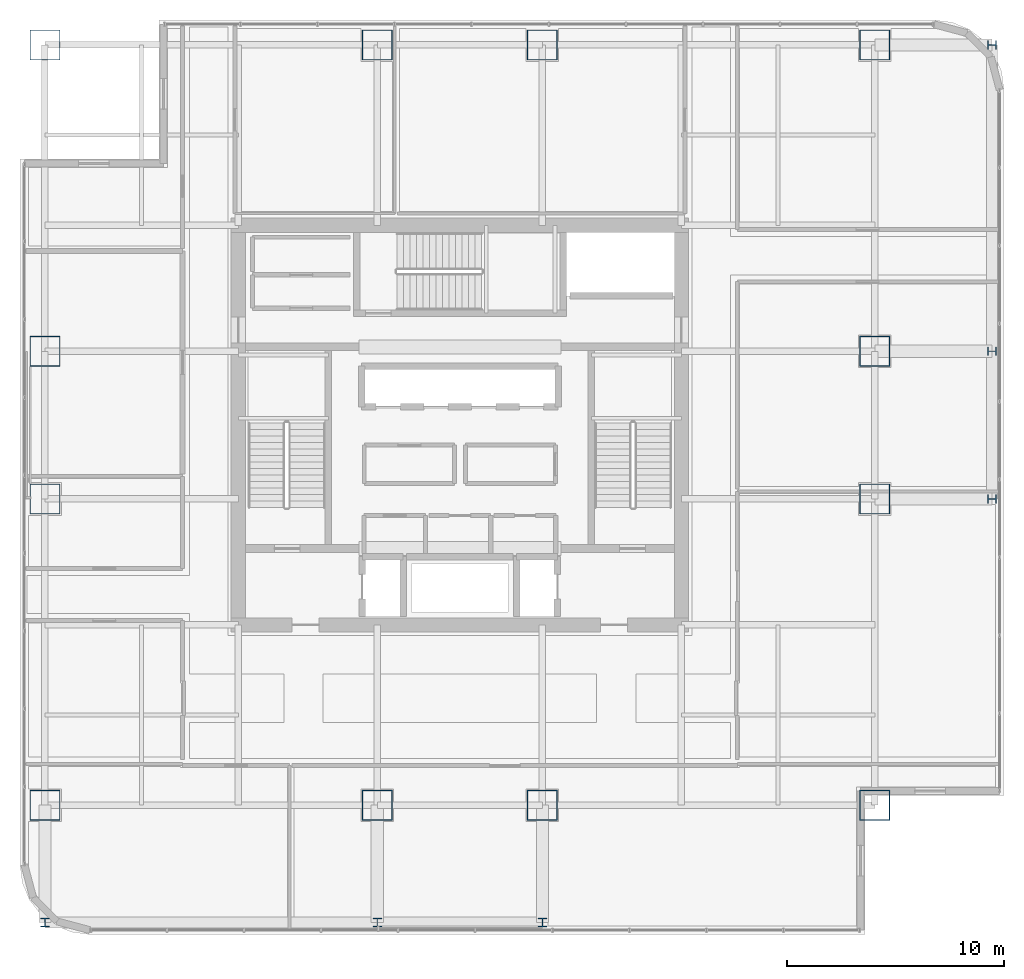
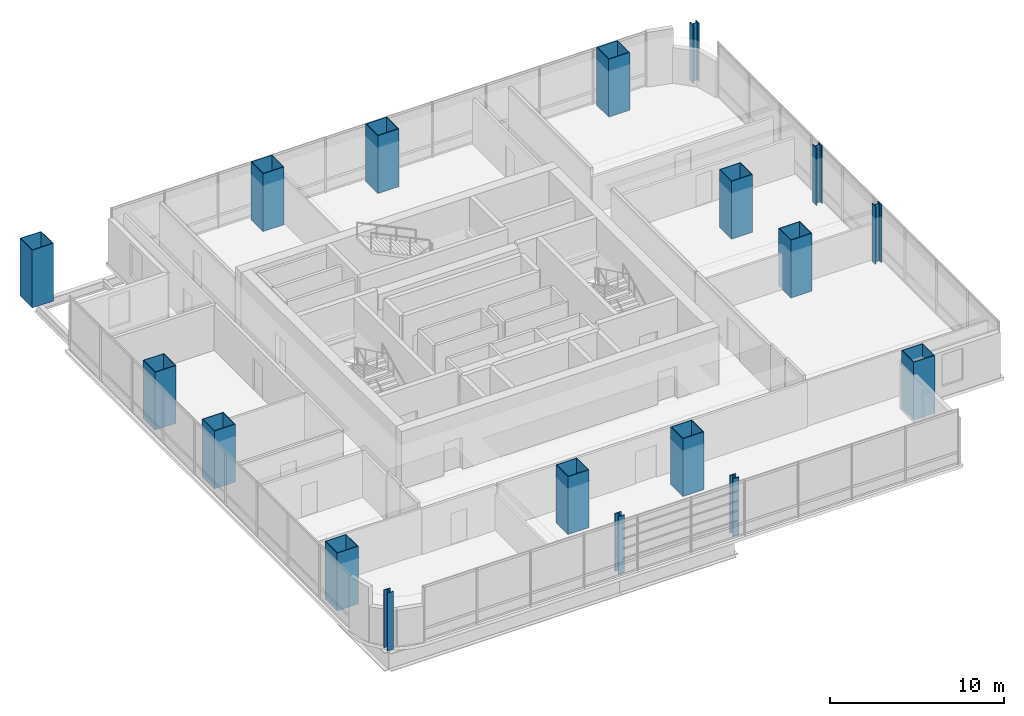
# One storey, part 1 of 37: 18 columns.
"""IFC4 building model written with IfcOpenShell, lengths in metres."""

from ifc_helpers import new_model, si_unit, direction, frame, origin, origin_2d, place, context, subcontext, project, spatial, hollow_rectangle, i_section, extrude, material, material_profile, profile_set, type_object, element, save


model = new_model("IFC4")

# Units and contexts
model_context = context("Model", 3, precision=1e-05, world=origin(), true_north=direction((0.0, 1.0)))
body_context = subcontext(model_context, "Body", "Model", "MODEL_VIEW")
ifc_project = project(units=[si_unit("LENGTHUNIT", "METRE"), si_unit("AREAUNIT", "SQUARE_METRE"), si_unit("VOLUMEUNIT", "CUBIC_METRE"), si_unit("PLANEANGLEUNIT", "RADIAN"), si_unit("MASSUNIT", "GRAM", prefix="KILO")], contexts=[model_context])

# Site, building, storey
site_placement = place(None, origin())
site = spatial("IfcSite", under=ifc_project, at=site_placement, CompositionType="ELEMENT")
building_placement = place(site_placement, origin())
building = spatial("IfcBuilding", under=site, at=building_placement, Name="Punatoya Terracotta Tower", CompositionType="ELEMENT")
storey_placement = place(building_placement, frame((0.0, 0.0, 224.85009765625)))
storey = spatial("IfcBuildingStorey", under=building, at=storey_placement, Name="L53", CompositionType="ELEMENT", Elevation=224.85009765625)

# Columns
ifc_material = material(Name="Steel S460", Category="steel")
ifc_material_profile_1 = material_profile(ifc_material, i_section(OverallWidth=0.408935546875, OverallDepth=0.425048828125, WebThickness=0.031982421875, FlangeThickness=0.052001953125, FilletRadius=0.01806640625, at=origin_2d()))
ifc_profile_set_1 = profile_set([ifc_material_profile_1], Name="Steel S460")
column_type_1 = type_object("IfcColumnType", Name="COL-EX-M2", PredefinedType="COLUMN", material=ifc_profile_set_1)
for number, where, z_axis, x_axis, name in (
    (1, (-19.10009765625, -22.89990234375, 0.0), (0.0, 0.0, 1.0), (1.0, 0.0, 0.0), "L53 Exoskeleton Perimeter Column S1"),
    (2, (-3.800048828125, -22.89990234375, 0.0), (0.0, 0.0, 1.0), (1.0, 0.0, 0.0), "L53 Exoskeleton Perimeter Column S2"),
    (3, (3.800048828125, -22.89990234375, 0.0), (0.0, 0.0, 1.0), (1.0, 0.0, 0.0), "L53 Exoskeleton Perimeter Column S3"),
    (4, (24.5, -3.39990234375, 0.0), (0.0, 0.0, 1.0), (0.0, 1.0, 0.0), "L53 Exoskeleton Perimeter Column E2"),
    (5, (24.5, 3.39990234375, 0.0), (0.0, 0.0, 1.0), (0.0, 1.0, 0.0), "L53 Exoskeleton Perimeter Column E3"),
    (6, (24.5, 17.5, 0.0), (0.0, 0.0, 1.0), (0.0, 1.0, 0.0), "L53 Exoskeleton Perimeter Column E4"),
):
    element("IfcColumn", number, at=place(storey_placement, frame(where, z_axis=z_axis, x_axis=x_axis)), inside=storey, type_object=column_type_1, Name=name, PredefinedType="COLUMN", context=body_context, shape_type="SweptSolid", body=[
        extrude(i_section(OverallWidth=0.408935546875, OverallDepth=0.425048828125, WebThickness=0.031982421875, FlangeThickness=0.052001953125, FilletRadius=0.01806640625, at=origin_2d()), origin(), (0.0, 0.0, 1.0), 4.0478515625),
    ])
ifc_material_profile_2 = material_profile(ifc_material, hollow_rectangle(XDim=1.39990234375, YDim=1.39990234375, WallThickness=0.0419921875, at=origin_2d()))
ifc_profile_set_2 = profile_set([ifc_material_profile_2], Name="Steel S460")
column_type_2 = type_object("IfcColumnType", Name="COL-MC-Z2", PredefinedType="COLUMN", material=ifc_profile_set_2)
for number, where, z_axis, x_axis, name in (
    (7, (-19.10009765625, -17.5, 0.0), (0.0, 0.0, 1.0), (1.0, 0.0, 0.0), "L53 Composite Mega-Column MC-01 (3-B)"),
    (8, (-3.800048828125, -17.5, 0.0), (0.0, 0.0, 1.0), (1.0, 0.0, 0.0), "L53 Composite Mega-Column MC-02 (5-B)"),
    (9, (3.800048828125, -17.5, 0.0), (0.0, 0.0, 1.0), (1.0, 0.0, 0.0), "L53 Composite Mega-Column MC-03 (7-B)"),
    (10, (19.10009765625, -17.5, 0.0), (0.0, 0.0, 1.0), (1.0, 0.0, 0.0), "L53 Composite Mega-Column MC-04 (9-B)"),
    (11, (19.10009765625, -3.39990234375, 0.0), (0.0, 0.0, 1.0), (1.0, 0.0, 0.0), "L53 Composite Mega-Column MC-05 (9-D)"),
    (12, (19.10009765625, 3.39990234375, 0.0), (0.0, 0.0, 1.0), (1.0, 0.0, 0.0), "L53 Composite Mega-Column MC-06 (9-E)"),
    (13, (19.10009765625, 17.5, 0.0), (0.0, 0.0, 1.0), (1.0, 0.0, 0.0), "L53 Composite Mega-Column MC-07 (9-G)"),
    (14, (3.800048828125, 17.5, 0.0), (0.0, 0.0, 1.0), (1.0, 0.0, 0.0), "L53 Composite Mega-Column MC-08 (7-G)"),
    (15, (-3.800048828125, 17.5, 0.0), (0.0, 0.0, 1.0), (1.0, 0.0, 0.0), "L53 Composite Mega-Column MC-09 (5-G)"),
    (16, (-19.10009765625, 17.5, 0.0), (0.0, 0.0, 1.0), (1.0, 0.0, 0.0), "L53 Composite Mega-Column MC-10 (3-G)"),
    (17, (-19.10009765625, 3.39990234375, 0.0), (0.0, 0.0, 1.0), (1.0, 0.0, 0.0), "L53 Composite Mega-Column MC-11 (3-E)"),
    (18, (-19.10009765625, -3.39990234375, 0.0), (0.0, 0.0, 1.0), (1.0, 0.0, 0.0), "L53 Composite Mega-Column MC-12 (3-D)"),
):
    element("IfcColumn", number, at=place(storey_placement, frame(where, z_axis=z_axis, x_axis=x_axis)), inside=storey, type_object=column_type_2, Name=name, PredefinedType="COLUMN", context=body_context, shape_type="SweptSolid", body=[
        extrude(hollow_rectangle(XDim=1.39990234375, YDim=1.39990234375, WallThickness=0.0419921875, at=origin_2d()), origin(), (0.0, 0.0, 1.0), 4.0498046875),
    ])

save(model, "model.ifc")
